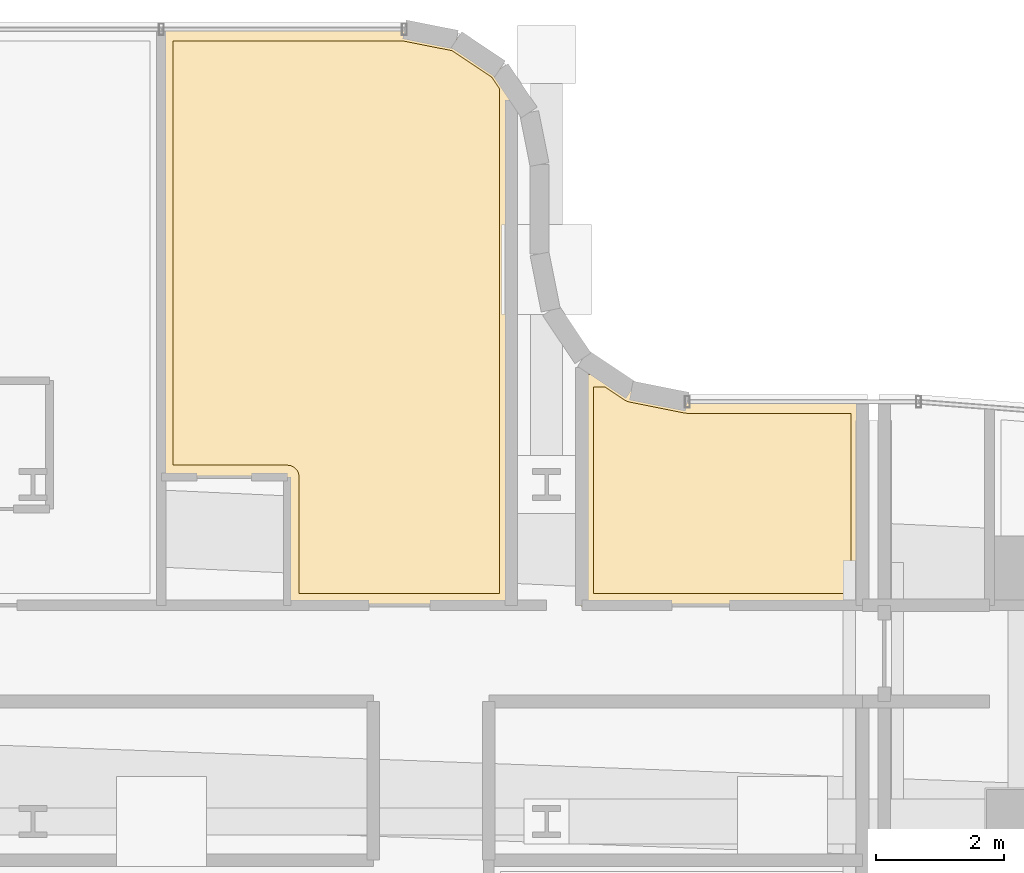
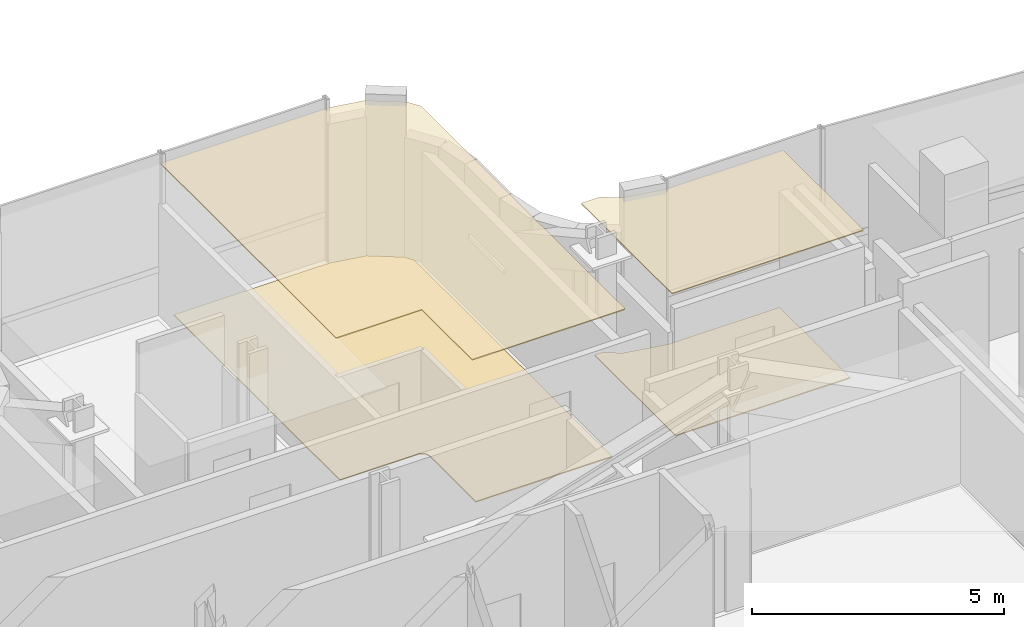
# One storey, part 37 of 37: 4 coverings.
"""IFC4 building model written with IfcOpenShell, lengths in metres."""

from ifc_helpers import new_model, si_unit, direction, frame, origin, place, context, subcontext, project, spatial, polyline, outline, extrude, material, layer, layer_set, type_object, element, save


model = new_model("IFC4")

# Units and contexts
model_context = context("Model", 3, precision=1e-05, world=origin(), true_north=direction((0.0, 1.0)))
body_context = subcontext(model_context, "Body", "Model", "MODEL_VIEW")
ifc_project = project(units=[si_unit("LENGTHUNIT", "METRE"), si_unit("AREAUNIT", "SQUARE_METRE"), si_unit("VOLUMEUNIT", "CUBIC_METRE"), si_unit("PLANEANGLEUNIT", "RADIAN"), si_unit("MASSUNIT", "GRAM", prefix="KILO")], contexts=[model_context])

# Site, building, storey
site_placement = place(None, origin())
site = spatial("IfcSite", under=ifc_project, at=site_placement, CompositionType="ELEMENT")
building_placement = place(site_placement, origin())
building = spatial("IfcBuilding", under=site, at=building_placement, Name="Valdorenza Pilgrim Sanctuary Tower", CompositionType="ELEMENT")
storey_placement = place(building_placement, frame((0.0, 0.0, 172.300048828125)))
storey = spatial("IfcBuildingStorey", under=building, at=storey_placement, Name="L44", CompositionType="ELEMENT", Elevation=172.300048828125)

# Coverings
ifc_material_1 = material(Name="Micro-perforated acoustic mineral ceiling tile", Category="gypsum")
ifc_layer_1 = layer(ifc_material_1, 0.02490234375, Name="Micro-perforated acoustic mineral ceiling tile")
ifc_layer_set_1 = layer_set([ifc_layer_1], Name="Micro-perforated acoustic mineral ceiling tile")
covering_type_1 = type_object("IfcCoveringType", Name="COV-CLG-ACU", PredefinedType="CEILING", material=ifc_layer_set_1)
covering_1_placement = place(storey_placement, frame((0.0, 0.0, 3.6298828125)))
element("IfcCovering", 1, at=covering_1_placement, inside=storey, type_object=covering_type_1, Name="L44 North Guest Room L44-N5 Acoustic Ceiling", PredefinedType="CEILING", context=body_context, shape_type="SweptSolid", body=[
    extrude(outline(polyline([(4.448974609375, 14.906982421875), (2.501953125, 14.906982421875), (2.50048828125, 14.906982421875), (2.4990234375, 14.9072265625), (2.49755859375, 14.90771484375), (2.496337890625, 14.908203125), (2.494873046875, 14.90869140625), (2.49365234375, 14.909423828125), (2.492431640625, 14.910400390625), (2.491455078125, 14.911376953125), (2.490478515625, 14.91259765625), (2.489501953125, 14.913818359375), (2.48876953125, 14.914794921875), (2.488037109375, 14.916259765625), (2.487548828125, 14.91748046875), (2.4873046875, 14.919189453125), (2.487060546875, 14.92041015625), (2.487060546875, 14.922119140625), (2.487060546875, 21.889892578125), (2.487060546875, 21.8916015625), (2.4873046875, 21.892822265625), (2.487548828125, 21.894287109375), (2.488037109375, 21.895751953125), (2.48876953125, 21.897216796875), (2.489501953125, 21.898193359375), (2.490478515625, 21.8994140625), (2.491455078125, 21.900634765625), (2.492431640625, 21.901611328125), (2.49365234375, 21.902587890625), (2.494873046875, 21.9033203125), (2.496337890625, 21.90380859375), (2.49755859375, 21.904296875), (2.4990234375, 21.90478515625), (2.50048828125, 21.90478515625), (2.501953125, 21.905029296875), (6.28515625, 21.905029296875), (6.28662109375, 21.90478515625), (6.2880859375, 21.90478515625), (7.099365234375, 21.743408203125), (7.100830078125, 21.742919921875), (7.102294921875, 21.742431640625), (7.103515625, 21.74169921875), (7.104736328125, 21.7412109375), (7.783447265625, 21.28759765625), (7.78466796875, 21.286865234375), (7.785888671875, 21.285888671875), (7.786865234375, 21.28466796875), (7.78759765625, 21.283447265625), (7.96240234375, 21.021728515625), (7.963134765625, 21.0205078125), (7.9638671875, 21.019287109375), (7.96435546875, 21.017822265625), (7.964599609375, 21.016357421875), (7.96484375, 21.014892578125), (7.965087890625, 21.013427734375), (7.965087890625, 12.919921875), (7.96484375, 12.91845703125), (7.964599609375, 12.9169921875), (7.96435546875, 12.91552734375), (7.9638671875, 12.914306640625), (7.963134765625, 12.912841796875), (7.96240234375, 12.91162109375), (7.961669921875, 12.910400390625), (7.960693359375, 12.909423828125), (7.95947265625, 12.908447265625), (7.958251953125, 12.907470703125), (7.95703125, 12.90673828125), (7.955810546875, 12.906005859375), (7.954345703125, 12.905517578125), (7.952880859375, 12.9052734375), (7.951416015625, 12.905029296875), (7.949951171875, 12.905029296875), (4.464111328125, 12.905029296875), (4.46240234375, 12.905029296875), (4.461181640625, 12.9052734375), (4.459716796875, 12.905517578125), (4.458251953125, 12.906005859375), (4.456787109375, 12.90673828125), (4.455810546875, 12.907470703125), (4.45458984375, 12.908447265625), (4.453369140625, 12.909423828125), (4.452392578125, 12.910400390625), (4.451416015625, 12.91162109375), (4.45068359375, 12.912841796875), (4.4501953125, 12.914306640625), (4.44970703125, 12.91552734375), (4.44921875, 12.9169921875), (4.44921875, 12.91845703125), (4.448974609375, 12.919921875), (4.448974609375, 14.906982421875)])), origin(), (0.0, 0.0, 1.0), 0.025146484375),
])
covering_2_placement = place(storey_placement, frame((0.0, 0.0, 3.6298828125)))
element("IfcCovering", 2, at=covering_2_placement, inside=storey, type_object=covering_type_1, Name="L44 East Contemplation Salon L44 Acoustic Ceiling", PredefinedType="CEILING", context=body_context, shape_type="SweptSolid", body=[
    extrude(outline(polyline([(9.050048828125, 12.905029296875), (9.048583984375, 12.905029296875), (9.047119140625, 12.9052734375), (9.045654296875, 12.905517578125), (9.044189453125, 12.906005859375), (9.04296875, 12.90673828125), (9.041748046875, 12.907470703125), (9.04052734375, 12.908447265625), (9.039306640625, 12.909423828125), (9.038330078125, 12.910400390625), (9.03759765625, 12.91162109375), (9.036865234375, 12.912841796875), (9.0361328125, 12.914306640625), (9.03564453125, 12.91552734375), (9.035400390625, 12.9169921875), (9.03515625, 12.91845703125), (9.034912109375, 12.919921875), (9.034912109375, 16.5), (9.03515625, 16.50146484375), (9.035400390625, 16.5029296875), (9.03564453125, 16.50439453125), (9.0361328125, 16.505615234375), (9.036865234375, 16.507080078125), (9.03759765625, 16.50830078125), (9.038330078125, 16.509521484375), (9.039306640625, 16.510498046875), (9.04052734375, 16.51171875), (9.041748046875, 16.512451171875), (9.04296875, 16.51318359375), (9.044189453125, 16.513916015625), (9.045654296875, 16.514404296875), (9.047119140625, 16.5146484375), (9.048583984375, 16.514892578125), (9.050048828125, 16.514892578125), (9.464599609375, 16.514892578125), (9.466064453125, 16.514892578125), (9.467529296875, 16.5146484375), (9.468994140625, 16.514404296875), (9.470458984375, 16.513916015625), (9.4716796875, 16.51318359375), (9.472900390625, 16.512451171875), (9.8076171875, 16.2890625), (9.81591796875, 16.283935546875), (9.82421875, 16.280029296875), (9.8330078125, 16.27685546875), (9.84228515625, 16.274658203125), (10.68505859375, 16.10693359375), (10.694580078125, 16.10546875), (10.704345703125, 16.10498046875), (13.419921875, 16.10498046875), (13.42138671875, 16.10498046875), (13.4228515625, 16.104736328125), (13.42431640625, 16.1044921875), (13.42578125, 16.10400390625), (13.427001953125, 16.103271484375), (13.42822265625, 16.1025390625), (13.429443359375, 16.1015625), (13.4306640625, 16.1005859375), (13.431640625, 16.099609375), (13.4326171875, 16.098388671875), (13.43310546875, 16.09716796875), (13.433837890625, 16.095703125), (13.434326171875, 16.094482421875), (13.434814453125, 16.093017578125), (13.434814453125, 16.091552734375), (13.43505859375, 16.090087890625), (13.43505859375, 12.919921875), (13.434814453125, 12.91845703125), (13.434814453125, 12.9169921875), (13.434326171875, 12.91552734375), (13.433837890625, 12.914306640625), (13.43310546875, 12.912841796875), (13.4326171875, 12.91162109375), (13.431640625, 12.910400390625), (13.4306640625, 12.909423828125), (13.429443359375, 12.908447265625), (13.42822265625, 12.907470703125), (13.427001953125, 12.90673828125), (13.42578125, 12.906005859375), (13.42431640625, 12.905517578125), (13.4228515625, 12.9052734375), (13.42138671875, 12.905029296875), (13.419921875, 12.905029296875), (9.050048828125, 12.905029296875)])), origin(), (0.0, 0.0, 1.0), 0.025146484375),
])
ifc_material_2 = material(Name="Engineered European oak timber flooring", Category="wood")
ifc_layer_2 = layer(ifc_material_2, 0.02197265625, Name="Engineered European oak timber flooring")
ifc_layer_set_2 = layer_set([ifc_layer_2], Name="Engineered European oak timber flooring")
covering_type_2 = type_object("IfcCoveringType", Name="COV-FLR-OAK", PredefinedType="FLOORING", material=ifc_layer_set_2)
covering_3_placement = place(storey_placement, origin())
element("IfcCovering", 3, at=covering_3_placement, inside=storey, type_object=covering_type_2, Name="L44 North Guest Room L44-N5 Flooring", PredefinedType="FLOORING", context=body_context, shape_type="SweptSolid", body=[
    extrude(outline(polyline([(7.0263671875, 21.55908203125), (7.6455078125, 21.1455078125), (7.77001953125, 20.958984375), (7.77001953125, 13.10009765625), (4.64404296875, 13.10009765625), (4.64404296875, 14.919921875), (4.643798828125, 14.9287109375), (4.643798828125, 14.928955078125), (4.64208984375, 14.946533203125), (4.64208984375, 14.94677734375), (4.638671875, 14.964111328125), (4.638427734375, 14.96435546875), (4.63330078125, 14.981201171875), (4.63330078125, 14.9814453125), (4.626708984375, 14.997802734375), (4.62646484375, 14.997802734375), (4.6181640625, 15.013427734375), (4.6181640625, 15.013671875), (4.608154296875, 15.0283203125), (4.608154296875, 15.028564453125), (4.596923828125, 15.0419921875), (4.5966796875, 15.042236328125), (4.584228515625, 15.0546875), (4.583984375, 15.054931640625), (4.570556640625, 15.066162109375), (4.5703125, 15.066162109375), (4.5556640625, 15.076171875), (4.555419921875, 15.076171875), (4.539794921875, 15.08447265625), (4.539794921875, 15.084716796875), (4.5234375, 15.09130859375), (4.523193359375, 15.09130859375), (4.50634765625, 15.096435546875), (4.506103515625, 15.0966796875), (4.48876953125, 15.10009765625), (4.488525390625, 15.10009765625), (4.470947265625, 15.101806640625), (4.470703125, 15.101806640625), (4.4619140625, 15.10205078125), (2.681884765625, 15.10205078125), (2.681884765625, 21.7099609375), (6.267333984375, 21.7099609375), (7.0263671875, 21.55908203125)])), origin(), (0.0, 0.0, 1.0), 0.02490234375),
])
ifc_material_3 = material(Name="Honed travertine stone flooring", Category="masonry")
ifc_layer_3 = layer(ifc_material_3, 0.030029296875, Name="Honed travertine stone flooring")
ifc_layer_set_3 = layer_set([ifc_layer_3], Name="Honed travertine stone flooring")
covering_type_3 = type_object("IfcCoveringType", Name="COV-FLR-TRV", PredefinedType="FLOORING", material=ifc_layer_set_3)
covering_4_placement = place(storey_placement, origin())
element("IfcCovering", 4, at=covering_4_placement, inside=storey, type_object=covering_type_3, Name="L44 East Contemplation Salon L44 Flooring", PredefinedType="FLOORING", context=body_context, shape_type="SweptSolid", body=[
    extrude(outline(polyline([(9.22998046875, 13.10009765625), (9.22998046875, 16.320068359375), (9.41015625, 16.320068359375), (9.699462890625, 16.126708984375), (9.70703125, 16.121826171875), (9.71630859375, 16.116455078125), (9.731689453125, 16.108154296875), (9.74169921875, 16.103515625), (9.7578125, 16.0966796875), (9.76806640625, 16.093017578125), (9.784912109375, 16.087890625), (9.79541015625, 16.085205078125), (9.803955078125, 16.08349609375), (10.6474609375, 15.91552734375), (10.656005859375, 15.9140625), (10.666748046875, 15.91259765625), (10.684326171875, 15.91064453125), (10.6953125, 15.91015625), (10.7041015625, 15.909912109375), (13.239990234375, 15.909912109375), (13.239990234375, 13.10009765625), (9.22998046875, 13.10009765625)])), origin(), (0.0, 0.0, 1.0), 0.02490234375),
])

save(model, "model.ifc")
